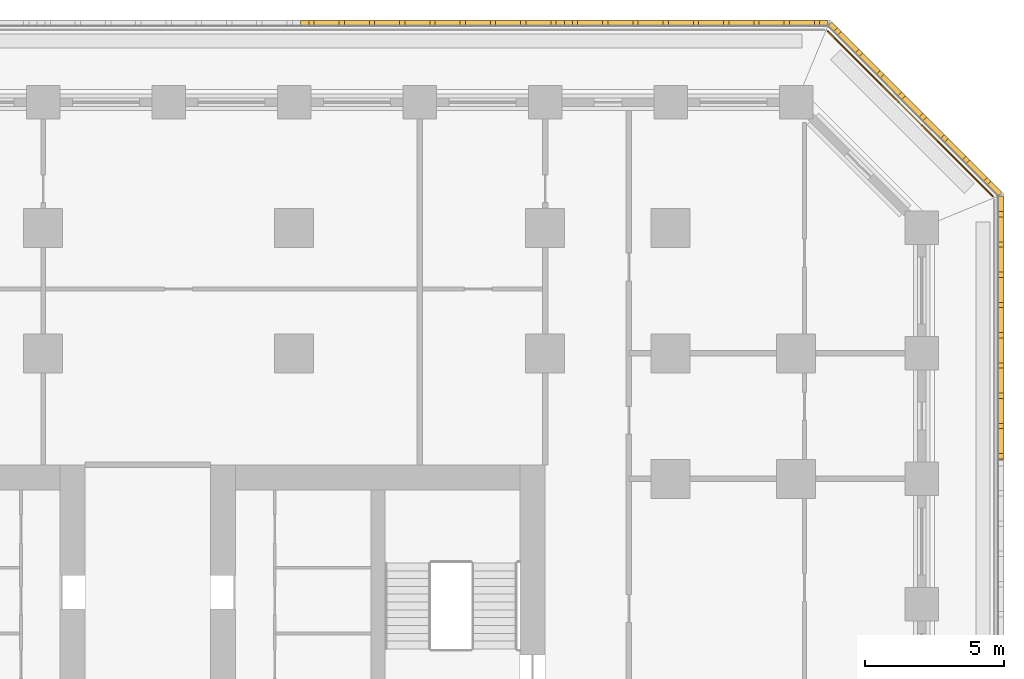
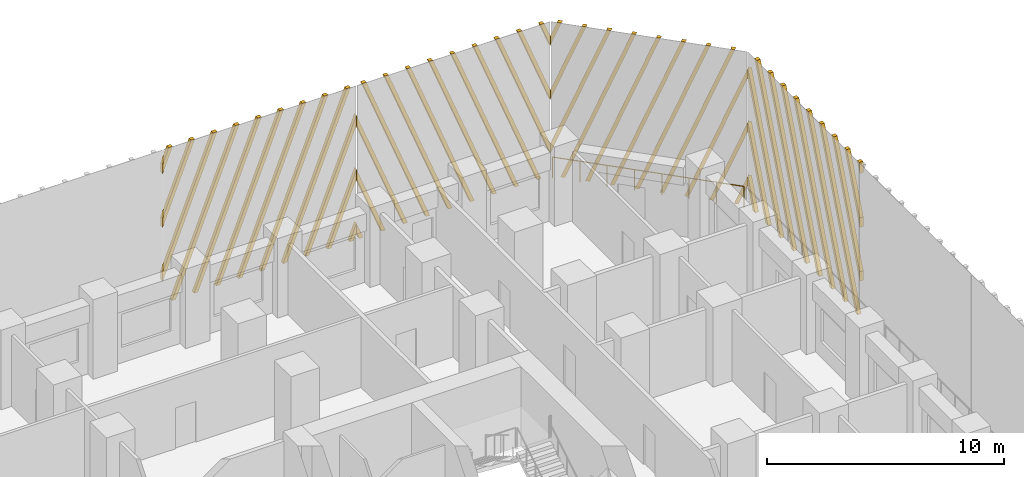
# One storey, part 18 of 19: 4 shading devices, 1 railing.
"""IFC4 building model written with IfcOpenShell, lengths in metres."""

from ifc_helpers import new_model, si_unit, direction, frame, origin, origin_2d, place, context, subcontext, project, spatial, polyline, circle, outline, extrude, source, transform, mapped, material, type_object, element, save


model = new_model("IFC4")

# Units and contexts
model_context = context("Model", 3, precision=1e-05, world=origin(), true_north=direction((0.0, 1.0)))
body_context = subcontext(model_context, "Body", "Model", "MODEL_VIEW")
ifc_project = project(units=[si_unit("LENGTHUNIT", "METRE"), si_unit("AREAUNIT", "SQUARE_METRE"), si_unit("VOLUMEUNIT", "CUBIC_METRE"), si_unit("PLANEANGLEUNIT", "RADIAN"), si_unit("MASSUNIT", "GRAM", prefix="KILO")], contexts=[model_context])

# Site, building, storey
site_placement = place(None, origin())
site = spatial("IfcSite", under=ifc_project, at=site_placement, CompositionType="ELEMENT")
building_placement = place(site_placement, origin())
building = spatial("IfcBuilding", under=site, at=building_placement, Name="Corbel Stack Research Tower", CompositionType="ELEMENT")
storey_placement = place(building_placement, frame((0.0, 0.0, 90.199951171875)))
storey = spatial("IfcBuildingStorey", under=building, at=storey_placement, Name="L20", CompositionType="ELEMENT", Elevation=90.199951171875)

# Railing
ifc_material_1 = material(Name="Powder-coated steel guard", Category="steel")
railing_type = type_object("IfcRailingType", Name="Steel and glass guard 1100", PredefinedType="GUARDRAIL", material=ifc_material_1)
railing_placement = place(storey_placement, frame((34.04931640625, 28.127685546875, 0.0)))
element("IfcRailing", 1, at=railing_placement, inside=storey, type_object=railing_type, Name="Loggia guard L20 NE", PredefinedType="GUARDRAIL", context=body_context, shape_type="SweptSolid", body=[
    extrude(circle(Radius=0.02392578125, at=origin_2d()), frame((0.0, 0.0, 1.076171875), z_axis=(-0.707106781187, 0.707106781187, 0.0), x_axis=(-0.707106781187, -0.707106781187, 0.0)), (0.0, 0.0, 1.0), 8.37451171875),
    extrude(circle(Radius=0.02099609375, at=origin_2d()), origin(), (0.0, 0.0, 1.0), 1.052001953125),
    extrude(circle(Radius=0.02099609375, at=origin_2d()), frame((-0.845947265625, 0.845947265625, 0.0)), (0.0, 0.0, 1.0), 1.052001953125),
    extrude(circle(Radius=0.02099609375, at=origin_2d()), frame((-1.69189453125, 1.69189453125, 0.0)), (0.0, 0.0, 1.0), 1.052001953125),
    extrude(circle(Radius=0.02099609375, at=origin_2d()), frame((-2.537841796875, 2.537841796875, 0.0)), (0.0, 0.0, 1.0), 1.052001953125),
    extrude(circle(Radius=0.02099609375, at=origin_2d()), frame((-3.3837890625, 3.3837890625, 0.0)), (0.0, 0.0, 1.0), 1.052001953125),
    extrude(circle(Radius=0.02099609375, at=origin_2d()), frame((-4.229736328125, 4.229736328125, 0.0)), (0.0, 0.0, 1.0), 1.052001953125),
    extrude(circle(Radius=0.02099609375, at=origin_2d()), frame((-5.07568359375, 5.07568359375, 0.0)), (0.0, 0.0, 1.0), 1.052001953125),
    extrude(circle(Radius=0.02099609375, at=origin_2d()), frame((-5.921630859375, 5.921630859375, 0.0)), (0.0, 0.0, 1.0), 1.052001953125),
])

# Shading devices
ifc_material_2 = material(Name="Precast terracotta", Category="masonry")
shading_device_type = type_object("IfcShadingDeviceType", Name="Terracotta screen panel", PredefinedType="USERDEFINED", material=ifc_material_2)
shared_shape_1 = source(origin(), body_context, "Body", "SweptSolid", [
    extrude(outline(polyline([(0.217041015625, 7.949951171875), (0.027099609375, 7.949951171875), (0.0, 7.880859375), (0.0, 7.394287109375), (0.217041015625, 7.949951171875)])), frame((0.0, 0.0, 0.0), z_axis=(0.0, -1.0, 0.0), x_axis=(1.0, 0.0, 0.0)), (0.0, 0.0, 1.0), 0.179931640625),
    extrude(outline(polyline([(1.3017578125, 7.949951171875), (1.11181640625, 7.949951171875), (0.0, 5.103515625), (0.0, 4.616943359375), (1.3017578125, 7.949951171875)])), frame((0.0, 0.0, 0.0), z_axis=(0.0, -1.0, 0.0), x_axis=(1.0, 0.0, 0.0)), (0.0, 0.0, 1.0), 0.179931640625),
    extrude(outline(polyline([(2.386474609375, 7.949951171875), (2.1962890625, 7.949951171875), (0.0, 2.326171875), (0.0, 1.839599609375), (2.386474609375, 7.949951171875)])), frame((0.0, 0.0, 0.0), z_axis=(0.0, -1.0, 0.0), x_axis=(1.0, 0.0, 0.0)), (0.0, 0.0, 1.0), 0.179931640625),
    extrude(outline(polyline([(0.3662109375, 0.0), (3.470947265625, 7.949951171875), (3.281005859375, 7.949951171875), (0.17626953125, 0.0), (0.3662109375, 0.0)])), frame((0.0, 0.0, 0.0), z_axis=(0.0, -1.0, 0.0), x_axis=(1.0, 0.0, 0.0)), (0.0, 0.0, 1.0), 0.179931640625),
    extrude(outline(polyline([(1.45068359375, 0.0), (4.5556640625, 7.949951171875), (4.36572265625, 7.949951171875), (1.2607421875, 0.0), (1.45068359375, 0.0)])), frame((0.0, 0.0, 0.0), z_axis=(0.0, -1.0, 0.0), x_axis=(1.0, 0.0, 0.0)), (0.0, 0.0, 1.0), 0.179931640625),
    extrude(outline(polyline([(2.535400390625, 0.0), (5.640380859375, 7.949951171875), (5.4501953125, 7.949951171875), (2.345458984375, 0.0), (2.535400390625, 0.0)])), frame((0.0, 0.0, 0.0), z_axis=(0.0, -1.0, 0.0), x_axis=(1.0, 0.0, 0.0)), (0.0, 0.0, 1.0), 0.179931640625),
    extrude(outline(polyline([(3.6201171875, 0.0), (6.72509765625, 7.949951171875), (6.534912109375, 7.949951171875), (3.43017578125, 0.0), (3.6201171875, 0.0)])), frame((0.0, 0.0, 0.0), z_axis=(0.0, -1.0, 0.0), x_axis=(1.0, 0.0, 0.0)), (0.0, 0.0, 1.0), 0.179931640625),
    extrude(outline(polyline([(4.704833984375, 0.0), (7.809814453125, 7.949951171875), (7.61962890625, 7.949951171875), (4.514892578125, 0.0), (4.704833984375, 0.0)])), frame((0.0, 0.0, 0.0), z_axis=(0.0, -1.0, 0.0), x_axis=(1.0, 0.0, 0.0)), (0.0, 0.0, 1.0), 0.179931640625),
    extrude(outline(polyline([(5.78955078125, 0.0), (8.894287109375, 7.949951171875), (8.704345703125, 7.949951171875), (5.599609375, 0.0), (5.78955078125, 0.0)])), frame((0.0, 0.0, 0.0), z_axis=(0.0, -1.0, 0.0), x_axis=(1.0, 0.0, 0.0)), (0.0, 0.0, 1.0), 0.179931640625),
    extrude(outline(polyline([(6.874267578125, 0.0), (9.45556640625, 6.60986328125), (9.45556640625, 7.096435546875), (6.68408203125, 0.0), (6.874267578125, 0.0)])), frame((0.0, 0.0, 0.0), z_axis=(0.0, -1.0, 0.0), x_axis=(1.0, 0.0, 0.0)), (0.0, 0.0, 1.0), 0.179931640625),
    extrude(outline(polyline([(7.958740234375, 0.0), (9.45556640625, 3.83251953125), (9.45556640625, 4.319091796875), (7.768798828125, 0.0), (7.958740234375, 0.0)])), frame((0.0, 0.0, 0.0), z_axis=(0.0, -1.0, 0.0), x_axis=(1.0, 0.0, 0.0)), (0.0, 0.0, 1.0), 0.179931640625),
    extrude(outline(polyline([(9.04345703125, 0.0), (9.45556640625, 1.055419921875), (9.45556640625, 1.541748046875), (8.853515625, 0.0), (9.04345703125, 0.0)])), frame((0.0, 0.0, 0.0), z_axis=(0.0, -1.0, 0.0), x_axis=(1.0, 0.0, 0.0)), (0.0, 0.0, 1.0), 0.179931640625),
])
shading_device_1_placement = place(storey_placement, frame((34.25, 18.68359375, 0.0), z_axis=(0.0, 0.0, 1.0), x_axis=(0.0, 1.0, 0.0)))
element("IfcShadingDevice", 2, at=shading_device_1_placement, inside=storey, type_object=shading_device_type, Name="Terracotta screen L20 E5", ObjectType="SCREEN", PredefinedType="USERDEFINED", context=body_context, shape_type="MappedRepresentation", body=[
    mapped(shared_shape_1, transform((0.0, 0.0, 0.0))),
])
shared_shape_2 = source(origin(), body_context, "Body", "SweptSolid", [
    extrude(outline(polyline([(0.60205078125, 0.0), (0.0, 1.541748046875), (0.0, 1.055419921875), (0.412109375, 0.0), (0.60205078125, 0.0)])), frame((0.0, 0.0, 0.0), z_axis=(0.0, -1.0, 0.0), x_axis=(1.0, 0.0, 0.0)), (0.0, 0.0, 1.0), 0.179931640625),
    extrude(outline(polyline([(1.686767578125, 0.0), (0.0, 4.319091796875), (0.0, 3.83251953125), (1.496826171875, 0.0), (1.686767578125, 0.0)])), frame((0.0, 0.0, 0.0), z_axis=(0.0, -1.0, 0.0), x_axis=(1.0, 0.0, 0.0)), (0.0, 0.0, 1.0), 0.179931640625),
    extrude(outline(polyline([(2.771484375, 0.0), (0.0, 7.096435546875), (0.0, 6.60986328125), (2.58154296875, 0.0), (2.771484375, 0.0)])), frame((0.0, 0.0, 0.0), z_axis=(0.0, -1.0, 0.0), x_axis=(1.0, 0.0, 0.0)), (0.0, 0.0, 1.0), 0.179931640625),
    extrude(outline(polyline([(3.856201171875, 0.0), (0.751220703125, 7.949951171875), (0.561279296875, 7.949951171875), (3.666015625, 0.0), (3.856201171875, 0.0)])), frame((0.0, 0.0, 0.0), z_axis=(0.0, -1.0, 0.0), x_axis=(1.0, 0.0, 0.0)), (0.0, 0.0, 1.0), 0.179931640625),
    extrude(outline(polyline([(4.94091796875, 0.0), (1.8359375, 7.949951171875), (1.64599609375, 7.949951171875), (4.750732421875, 0.0), (4.94091796875, 0.0)])), frame((0.0, 0.0, 0.0), z_axis=(0.0, -1.0, 0.0), x_axis=(1.0, 0.0, 0.0)), (0.0, 0.0, 1.0), 0.179931640625),
    extrude(outline(polyline([(6.025390625, 0.0), (2.920654296875, 7.949951171875), (2.730712890625, 7.949951171875), (5.83544921875, 0.0), (6.025390625, 0.0)])), frame((0.0, 0.0, 0.0), z_axis=(0.0, -1.0, 0.0), x_axis=(1.0, 0.0, 0.0)), (0.0, 0.0, 1.0), 0.179931640625),
    extrude(outline(polyline([(7.110107421875, 0.0), (4.00537109375, 7.949951171875), (3.815185546875, 7.949951171875), (6.920166015625, 0.0), (7.110107421875, 0.0)])), frame((0.0, 0.0, 0.0), z_axis=(0.0, -1.0, 0.0), x_axis=(1.0, 0.0, 0.0)), (0.0, 0.0, 1.0), 0.179931640625),
    extrude(outline(polyline([(8.19482421875, 0.0), (5.090087890625, 7.949951171875), (4.89990234375, 7.949951171875), (8.0048828125, 0.0), (8.19482421875, 0.0)])), frame((0.0, 0.0, 0.0), z_axis=(0.0, -1.0, 0.0), x_axis=(1.0, 0.0, 0.0)), (0.0, 0.0, 1.0), 0.179931640625),
    extrude(outline(polyline([(6.174560546875, 7.949951171875), (5.984619140625, 7.949951171875), (8.64208984375, 1.1455078125), (8.64208984375, 1.6318359375), (6.174560546875, 7.949951171875)])), frame((0.0, 0.0, 0.0), z_axis=(0.0, -1.0, 0.0), x_axis=(1.0, 0.0, 0.0)), (0.0, 0.0, 1.0), 0.179931640625),
    extrude(outline(polyline([(7.25927734375, 7.949951171875), (7.0693359375, 7.949951171875), (8.64208984375, 3.922607421875), (8.64208984375, 4.4091796875), (7.25927734375, 7.949951171875)])), frame((0.0, 0.0, 0.0), z_axis=(0.0, -1.0, 0.0), x_axis=(1.0, 0.0, 0.0)), (0.0, 0.0, 1.0), 0.179931640625),
    extrude(outline(polyline([(8.343994140625, 7.949951171875), (8.15380859375, 7.949951171875), (8.64208984375, 6.699951171875), (8.64208984375, 7.1865234375), (8.343994140625, 7.949951171875)])), frame((0.0, 0.0, 0.0), z_axis=(0.0, -1.0, 0.0), x_axis=(1.0, 0.0, 0.0)), (0.0, 0.0, 1.0), 0.179931640625),
])
shading_device_2_placement = place(storey_placement, frame((34.25, 28.13916015625, 0.0), z_axis=(0.0, 0.0, 1.0), x_axis=(-0.707106781187, 0.707106781187, 0.0)))
element("IfcShadingDevice", 3, at=shading_device_2_placement, inside=storey, type_object=shading_device_type, Name="Terracotta screen L20 NE1", ObjectType="SCREEN", PredefinedType="USERDEFINED", context=body_context, shape_type="MappedRepresentation", body=[
    mapped(shared_shape_2, transform((0.0, 0.0, 0.0))),
])
shared_shape_3 = source(origin(), body_context, "Body", "SweptSolid", [
    extrude(outline(polyline([(0.48828125, 7.949951171875), (0.298095703125, 7.949951171875), (0.0, 7.1865234375), (0.0, 6.699951171875), (0.48828125, 7.949951171875)])), frame((0.0, 0.0, 0.0), z_axis=(0.0, -1.0, 0.0), x_axis=(1.0, 0.0, 0.0)), (0.0, 0.0, 1.0), 0.179931640625),
    extrude(outline(polyline([(1.572998046875, 7.949951171875), (1.3828125, 7.949951171875), (0.0, 4.4091796875), (0.0, 3.922607421875), (1.572998046875, 7.949951171875)])), frame((0.0, 0.0, 0.0), z_axis=(0.0, -1.0, 0.0), x_axis=(1.0, 0.0, 0.0)), (0.0, 0.0, 1.0), 0.179931640625),
    extrude(outline(polyline([(2.657470703125, 7.949951171875), (2.467529296875, 7.949951171875), (0.0, 1.6318359375), (0.0, 1.1455078125), (2.657470703125, 7.949951171875)])), frame((0.0, 0.0, 0.0), z_axis=(0.0, -1.0, 0.0), x_axis=(1.0, 0.0, 0.0)), (0.0, 0.0, 1.0), 0.179931640625),
    extrude(outline(polyline([(0.63720703125, 0.0), (3.7421875, 7.949951171875), (3.55224609375, 7.949951171875), (0.447265625, 0.0), (0.63720703125, 0.0)])), frame((0.0, 0.0, 0.0), z_axis=(0.0, -1.0, 0.0), x_axis=(1.0, 0.0, 0.0)), (0.0, 0.0, 1.0), 0.179931640625),
    extrude(outline(polyline([(1.721923828125, 0.0), (4.826904296875, 7.949951171875), (4.636962890625, 7.949951171875), (1.531982421875, 0.0), (1.721923828125, 0.0)])), frame((0.0, 0.0, 0.0), z_axis=(0.0, -1.0, 0.0), x_axis=(1.0, 0.0, 0.0)), (0.0, 0.0, 1.0), 0.179931640625),
    extrude(outline(polyline([(2.806640625, 0.0), (5.91162109375, 7.949951171875), (5.721435546875, 7.949951171875), (2.61669921875, 0.0), (2.806640625, 0.0)])), frame((0.0, 0.0, 0.0), z_axis=(0.0, -1.0, 0.0), x_axis=(1.0, 0.0, 0.0)), (0.0, 0.0, 1.0), 0.179931640625),
    extrude(outline(polyline([(3.891357421875, 0.0), (6.99609375, 7.949951171875), (6.80615234375, 7.949951171875), (3.701416015625, 0.0), (3.891357421875, 0.0)])), frame((0.0, 0.0, 0.0), z_axis=(0.0, -1.0, 0.0), x_axis=(1.0, 0.0, 0.0)), (0.0, 0.0, 1.0), 0.179931640625),
    extrude(outline(polyline([(4.97607421875, 0.0), (8.080810546875, 7.949951171875), (7.890869140625, 7.949951171875), (4.785888671875, 0.0), (4.97607421875, 0.0)])), frame((0.0, 0.0, 0.0), z_axis=(0.0, -1.0, 0.0), x_axis=(1.0, 0.0, 0.0)), (0.0, 0.0, 1.0), 0.179931640625),
    extrude(outline(polyline([(6.060791015625, 0.0), (9.16552734375, 7.949951171875), (8.9755859375, 7.949951171875), (5.87060546875, 0.0), (6.060791015625, 0.0)])), frame((0.0, 0.0, 0.0), z_axis=(0.0, -1.0, 0.0), x_axis=(1.0, 0.0, 0.0)), (0.0, 0.0, 1.0), 0.179931640625),
    extrude(outline(polyline([(7.145263671875, 0.0), (9.45556640625, 5.91552734375), (9.45556640625, 6.402099609375), (6.955322265625, 0.0), (7.145263671875, 0.0)])), frame((0.0, 0.0, 0.0), z_axis=(0.0, -1.0, 0.0), x_axis=(1.0, 0.0, 0.0)), (0.0, 0.0, 1.0), 0.179931640625),
    extrude(outline(polyline([(8.22998046875, 0.0), (9.45556640625, 3.13818359375), (9.45556640625, 3.624755859375), (8.0400390625, 0.0), (8.22998046875, 0.0)])), frame((0.0, 0.0, 0.0), z_axis=(0.0, -1.0, 0.0), x_axis=(1.0, 0.0, 0.0)), (0.0, 0.0, 1.0), 0.179931640625),
    extrude(outline(polyline([(9.314697265625, 0.0), (9.45556640625, 0.361083984375), (9.45556640625, 0.847412109375), (9.124755859375, 0.0), (9.314697265625, 0.0)])), frame((0.0, 0.0, 0.0), z_axis=(0.0, -1.0, 0.0), x_axis=(1.0, 0.0, 0.0)), (0.0, 0.0, 1.0), 0.179931640625),
])
shading_device_3_placement = place(storey_placement, frame((28.13916015625, 34.25, 0.0), z_axis=(0.0, 0.0, 1.0), x_axis=(-1.0, 0.0, 0.0)))
element("IfcShadingDevice", 4, at=shading_device_3_placement, inside=storey, type_object=shading_device_type, Name="Terracotta screen L20 N1", ObjectType="SCREEN", PredefinedType="USERDEFINED", context=body_context, shape_type="MappedRepresentation", body=[
    mapped(shared_shape_3, transform((0.0, 0.0, 0.0))),
])
shared_shape_4 = source(origin(), body_context, "Body", "SweptSolid", [
    extrude(outline(polyline([(0.3310546875, 0.0), (0.0, 0.847412109375), (0.0, 0.361083984375), (0.14111328125, 0.0), (0.3310546875, 0.0)])), frame((0.0, 0.0, 0.0), z_axis=(0.0, -1.0, 0.0), x_axis=(1.0, 0.0, 0.0)), (0.0, 0.0, 1.0), 0.179931640625),
    extrude(outline(polyline([(1.41552734375, 0.0), (0.0, 3.624755859375), (0.0, 3.13818359375), (1.2255859375, 0.0), (1.41552734375, 0.0)])), frame((0.0, 0.0, 0.0), z_axis=(0.0, -1.0, 0.0), x_axis=(1.0, 0.0, 0.0)), (0.0, 0.0, 1.0), 0.179931640625),
    extrude(outline(polyline([(2.500244140625, 0.0), (0.0, 6.402099609375), (0.0, 5.91552734375), (2.310302734375, 0.0), (2.500244140625, 0.0)])), frame((0.0, 0.0, 0.0), z_axis=(0.0, -1.0, 0.0), x_axis=(1.0, 0.0, 0.0)), (0.0, 0.0, 1.0), 0.179931640625),
    extrude(outline(polyline([(3.5849609375, 0.0), (0.47998046875, 7.949951171875), (0.2900390625, 7.949951171875), (3.39501953125, 0.0), (3.5849609375, 0.0)])), frame((0.0, 0.0, 0.0), z_axis=(0.0, -1.0, 0.0), x_axis=(1.0, 0.0, 0.0)), (0.0, 0.0, 1.0), 0.179931640625),
    extrude(outline(polyline([(4.669677734375, 0.0), (1.564697265625, 7.949951171875), (1.374755859375, 7.949951171875), (4.4794921875, 0.0), (4.669677734375, 0.0)])), frame((0.0, 0.0, 0.0), z_axis=(0.0, -1.0, 0.0), x_axis=(1.0, 0.0, 0.0)), (0.0, 0.0, 1.0), 0.179931640625),
    extrude(outline(polyline([(5.75439453125, 0.0), (2.6494140625, 7.949951171875), (2.45947265625, 7.949951171875), (5.564208984375, 0.0), (5.75439453125, 0.0)])), frame((0.0, 0.0, 0.0), z_axis=(0.0, -1.0, 0.0), x_axis=(1.0, 0.0, 0.0)), (0.0, 0.0, 1.0), 0.179931640625),
    extrude(outline(polyline([(6.839111328125, 0.0), (3.734130859375, 7.949951171875), (3.544189453125, 7.949951171875), (6.64892578125, 0.0), (6.839111328125, 0.0)])), frame((0.0, 0.0, 0.0), z_axis=(0.0, -1.0, 0.0), x_axis=(1.0, 0.0, 0.0)), (0.0, 0.0, 1.0), 0.179931640625),
    extrude(outline(polyline([(7.923583984375, 0.0), (4.81884765625, 7.949951171875), (4.62890625, 7.949951171875), (7.733642578125, 0.0), (7.923583984375, 0.0)])), frame((0.0, 0.0, 0.0), z_axis=(0.0, -1.0, 0.0), x_axis=(1.0, 0.0, 0.0)), (0.0, 0.0, 1.0), 0.179931640625),
    extrude(outline(polyline([(9.00830078125, 0.0), (5.903564453125, 7.949951171875), (5.71337890625, 7.949951171875), (8.818359375, 0.0), (9.00830078125, 0.0)])), frame((0.0, 0.0, 0.0), z_axis=(0.0, -1.0, 0.0), x_axis=(1.0, 0.0, 0.0)), (0.0, 0.0, 1.0), 0.179931640625),
    extrude(outline(polyline([(6.988037109375, 7.949951171875), (6.798095703125, 7.949951171875), (9.45556640625, 1.1455078125), (9.45556640625, 1.6318359375), (6.988037109375, 7.949951171875)])), frame((0.0, 0.0, 0.0), z_axis=(0.0, -1.0, 0.0), x_axis=(1.0, 0.0, 0.0)), (0.0, 0.0, 1.0), 0.179931640625),
    extrude(outline(polyline([(8.07275390625, 7.949951171875), (7.8828125, 7.949951171875), (9.45556640625, 3.922607421875), (9.45556640625, 4.4091796875), (8.07275390625, 7.949951171875)])), frame((0.0, 0.0, 0.0), z_axis=(0.0, -1.0, 0.0), x_axis=(1.0, 0.0, 0.0)), (0.0, 0.0, 1.0), 0.179931640625),
    extrude(outline(polyline([(9.157470703125, 7.949951171875), (8.96728515625, 7.949951171875), (9.45556640625, 6.699951171875), (9.45556640625, 7.1865234375), (9.157470703125, 7.949951171875)])), frame((0.0, 0.0, 0.0), z_axis=(0.0, -1.0, 0.0), x_axis=(1.0, 0.0, 0.0)), (0.0, 0.0, 1.0), 0.179931640625),
])
shading_device_4_placement = place(storey_placement, frame((18.68359375, 34.25, 0.0), z_axis=(0.0, 0.0, 1.0), x_axis=(-1.0, 0.0, 0.0)))
element("IfcShadingDevice", 5, at=shading_device_4_placement, inside=storey, type_object=shading_device_type, Name="Terracotta screen L20 N2", ObjectType="SCREEN", PredefinedType="USERDEFINED", context=body_context, shape_type="MappedRepresentation", body=[
    mapped(shared_shape_4, transform((0.0, 0.0, 0.0))),
])

save(model, "model.ifc")
